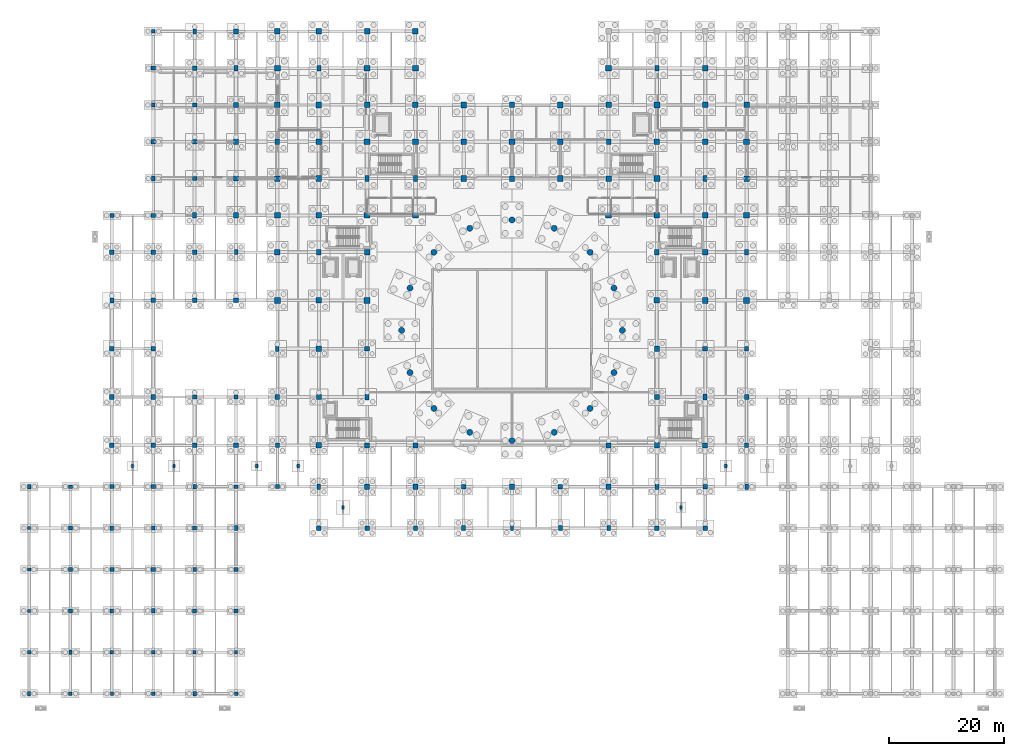
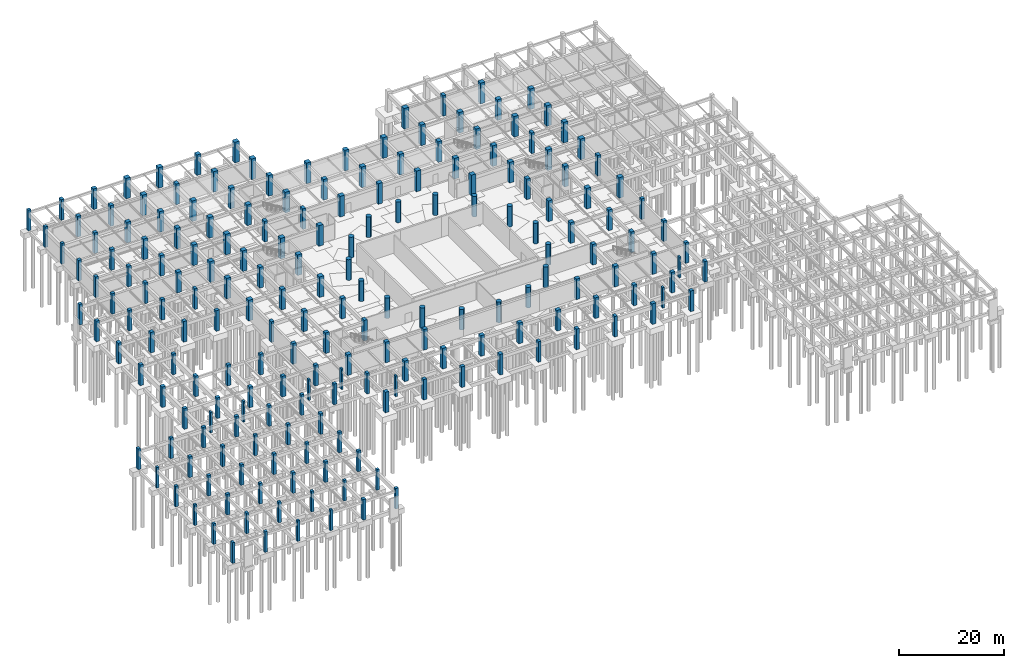
# One storey, part 16 of 44: 200 columns.
"""IFC4 building model written with IfcOpenShell, lengths in metres."""

import ifcopenshell
import ifcopenshell.guid

model = None  # the IFC model being written
_history = None  # IfcOwnerHistory: only IFC2X3 demands one
_inside = {}  # id of a spatial element -> (the spatial element, [elements in it])
_under = {}  # id of a project, library or spatial element -> (it, [spatial elements below it])
_declared = {}  # id of a project -> (the project, [libraries it declares])
_typed = {}  # id of a type object -> (the type object, [elements of that type])
_made_of = {}  # id of a material, layer set ... -> (it, [elements and type objects made of it])


def new_model(schema):
    """Start an empty IFC model of exactly this schema.

    Asked for "IFC4X3", IfcOpenShell would pick the latest addendum, in which some entities
    have other attributes; the version numbers below select the first issue.
    IFC2X3 requires an IfcOwnerHistory on every rooted entity: one is made here for all.
    """
    global model, _history
    if schema == "IFC4X3":
        model = ifcopenshell.file(schema_version=(4, 3, 0, 0))
    else:
        model = ifcopenshell.file(schema=schema)
    _inside.clear()
    _under.clear()
    _declared.clear()
    _typed.clear()
    _made_of.clear()
    _history = None
    if model.schema == "IFC2X3":
        org = make("IfcOrganization", Name="unknown")
        user = make(
            "IfcPersonAndOrganization",
            ThePerson=make("IfcPerson", FamilyName="unknown"),
            TheOrganization=org,
        )
        app = make(
            "IfcApplication",
            ApplicationDeveloper=org,
            Version="unknown",
            ApplicationFullName="unknown",
            ApplicationIdentifier="unknown",
        )
        _history = make(
            "IfcOwnerHistory",
            OwningUser=user,
            OwningApplication=app,
            ChangeAction="ADDED",
            CreationDate=0,
        )
    return model


def make(cls, **values):
    """One entity of the class cls with the attributes given. An attribute that is None is left unset."""
    return model.create_entity(
        cls, **{name: value for name, value in values.items() if value is not None}
    )


def rooted(cls, **values):
    """An entity with a GlobalId (a new one), such as an element, a storey or a relation."""
    return make(cls, GlobalId=ifcopenshell.guid.new(), OwnerHistory=_history, **values)


def si_unit(unit_type, name, prefix=None):
    """IfcSIUnit, for example si_unit("LENGTHUNIT", "METRE", prefix="MILLI")."""
    return make("IfcSIUnit", UnitType=unit_type, Prefix=prefix, Name=name)


def assignment(units):
    """IfcUnitAssignment: the units of a project."""
    return None if units is None else make("IfcUnitAssignment", Units=units)


def point(xyz):
    """IfcCartesianPoint."""
    return None if xyz is None else make("IfcCartesianPoint", Coordinates=xyz)


def direction(xyz):
    """IfcDirection."""
    return None if xyz is None else make("IfcDirection", DirectionRatios=xyz)


def frame(location, z_axis=None, x_axis=None):
    """IfcAxis2Placement3D, a coordinate frame: its origin and axes. An axis left out is left unset."""
    return make(
        "IfcAxis2Placement3D",
        Location=point(location),
        Axis=direction(z_axis),
        RefDirection=direction(x_axis),
    )


def frame_2d(location, x_axis=None):
    """IfcAxis2Placement2D, a coordinate frame in the plane: its origin and x axis."""
    return make(
        "IfcAxis2Placement2D", Location=point(location), RefDirection=direction(x_axis)
    )


def origin():
    """The frame at (0, 0, 0) with its axes left unset."""
    return frame((0.0, 0.0, 0.0))


def origin_2d():
    """The frame at (0, 0) in the plane with its x axis left unset."""
    return frame_2d((0.0, 0.0))


def place(relative_to, where):
    """IfcLocalPlacement: puts the frame where relative to a parent placement (None: the world)."""
    return make(
        "IfcLocalPlacement", PlacementRelTo=relative_to, RelativePlacement=where
    )


def context(
    kind, dimensions, precision=None, world=None, true_north=None, identifier=None
):
    """IfcGeometricRepresentationContext, for example the 3D "Model" context."""
    return make(
        "IfcGeometricRepresentationContext",
        ContextIdentifier=identifier,
        ContextType=kind,
        CoordinateSpaceDimension=dimensions,
        Precision=precision,
        WorldCoordinateSystem=world,
        TrueNorth=true_north,
    )


def subcontext(parent, identifier, kind, view, scale=None):
    """IfcGeometricRepresentationSubContext, for example "Body" below "Model"."""
    return make(
        "IfcGeometricRepresentationSubContext",
        ContextIdentifier=identifier,
        ContextType=kind,
        ParentContext=parent,
        TargetScale=scale,
        TargetView=view,
    )


def project(units=None, contexts=None):
    """IfcProject with its units and contexts."""
    return rooted(
        "IfcProject",
        Name="project",
        RepresentationContexts=contexts,
        UnitsInContext=assignment(units),
    )


def spatial(cls, under=None, at=None, **own):
    """A site, building, storey or space (cls), placed at a placement, below another one or the project."""
    s = rooted(cls, ObjectPlacement=at, **own)
    if under is not None:
        _under.setdefault(under.id(), (under, []))[1].append(s)
    return s


def profile(cls, at=None, kind="AREA", **sizes):
    """A parametric profile (cls). Its sizes go by their IFC names, for example OverallWidth=200.0."""
    return make(cls, ProfileType=kind, Position=at, **sizes)


def rectangle(**sizes):
    """IfcRectangleProfileDef."""
    return profile("IfcRectangleProfileDef", **sizes)


def circle(**sizes):
    """IfcCircleProfileDef."""
    return profile("IfcCircleProfileDef", **sizes)


def extrude(swept, where, along, depth):
    """IfcExtrudedAreaSolid: the profile swept, set in the frame where, extruded along a direction by depth."""
    return make(
        "IfcExtrudedAreaSolid",
        SweptArea=swept,
        Position=where,
        ExtrudedDirection=direction(along),
        Depth=depth,
    )


def shape(context_of_items, identifier, shape_type, items):
    """IfcShapeRepresentation: the items that make up one representation, for example the "Body"."""
    return make(
        "IfcShapeRepresentation",
        ContextOfItems=context_of_items,
        RepresentationIdentifier=identifier,
        RepresentationType=shape_type,
        Items=items,
    )


def material(Name=None, Category=None):
    """IfcMaterial."""
    return make("IfcMaterial", Name=Name, Category=Category)


def material_profile(
    of_material, cross_section, Name=None, Category=None, Priority=None
):
    """IfcMaterialProfile: a cross section and its material."""
    return make(
        "IfcMaterialProfile",
        Name=Name,
        Material=of_material,
        Profile=cross_section,
        Priority=Priority,
        Category=Category,
    )


def profile_set(profiles, Name=None, composite=None):
    """IfcMaterialProfileSet."""
    return make(
        "IfcMaterialProfileSet",
        Name=Name,
        MaterialProfiles=profiles,
        CompositeProfile=composite,
    )


def made_of(thing, what):
    """Note that an element or type object is made of a material, layer set ...; save() writes the relation."""
    if what is not None:
        _made_of.setdefault(what.id(), (what, []))[1].append(thing)
    return thing


def type_object(cls, material=None, **own):
    """A type object (cls), such as IfcWallType, which elements share."""
    return made_of(rooted(cls, **own), material)


def element(
    cls,
    number,
    at=None,
    inside=None,
    cuts=None,
    type_object=None,
    material=None,
    context=None,
    identifier="Body",
    shape_type=None,
    held_by="IfcProductDefinitionShape",
    body=None,
    shapes=None,
    **own,
):
    """One element of the class cls, such as IfcWall. Its Tag is "e" and its number.

    at: its placement. inside: the storey or other place that contains it. cuts: it is an
    opening in that element (IfcRelVoidsElement). A single representation is given by context,
    identifier, shape_type and body (its items); several are given by shapes. held_by: the class
    of the entity that holds the representations. save() writes the other relations.
    """
    e = rooted(cls, Tag="e%d" % number, ObjectPlacement=at, **own)
    if body is not None:
        shapes = [shape(context, identifier, shape_type, body)]
    if shapes is not None:
        e.Representation = make(held_by, Representations=shapes)
    if inside is not None:
        _inside.setdefault(inside.id(), (inside, []))[1].append(e)
    if cuts is not None:
        rooted(
            "IfcRelVoidsElement", RelatingBuildingElement=cuts, RelatedOpeningElement=e
        )
    if type_object is not None:
        _typed.setdefault(type_object.id(), (type_object, []))[1].append(e)
    return made_of(e, material)


def aggregate(whole, parts):
    """IfcRelAggregates: a whole, such as a stair, and the parts it consists of."""
    return rooted("IfcRelAggregates", RelatingObject=whole, RelatedObjects=parts)


def save(model, path):
    """Write the relations noted so far, then the file.

    IfcRelAggregates (storeys below a building ...), IfcRelContainedInSpatialStructure (elements
    in a storey), IfcRelDefinesByType, IfcRelAssociatesMaterial and IfcRelDeclares: one each for
    every whole, place, type object, material and project.
    """
    for whole, parts in _under.values():
        aggregate(whole, parts)
    for where, things in _inside.values():
        rooted(
            "IfcRelContainedInSpatialStructure",
            RelatedElements=things,
            RelatingStructure=where,
        )
    for kind, things in _typed.values():
        rooted("IfcRelDefinesByType", RelatedObjects=things, RelatingType=kind)
    for what, things in _made_of.values():
        rooted("IfcRelAssociatesMaterial", RelatedObjects=things, RelatingMaterial=what)
    for by, libraries in _declared.values():
        rooted("IfcRelDeclares", RelatingContext=by, RelatedDefinitions=libraries)
    model.write(path)


model = new_model("IFC4")

# Units and contexts
model_context = context("Model", 3, precision=1e-05, world=origin(), true_north=direction((0.0, 1.0)))
body_context = subcontext(model_context, "Body", "Model", "MODEL_VIEW")
ifc_project = project(units=[si_unit("LENGTHUNIT", "METRE"), si_unit("AREAUNIT", "SQUARE_METRE"), si_unit("VOLUMEUNIT", "CUBIC_METRE"), si_unit("PLANEANGLEUNIT", "RADIAN"), si_unit("MASSUNIT", "GRAM", prefix="KILO")], contexts=[model_context])

# Site, building, storey
site_placement = place(None, origin())
site = spatial("IfcSite", under=ifc_project, at=site_placement, CompositionType="ELEMENT")
building_placement = place(site_placement, origin())
building = spatial("IfcBuilding", under=site, at=building_placement, Name="Korsvaeld Concert Hall", CompositionType="ELEMENT")
storey_placement = place(building_placement, frame((0.0, 0.0, -4.800048828125)))
storey = spatial("IfcBuildingStorey", under=building, at=storey_placement, Name="B1", CompositionType="ELEMENT", Elevation=-4.800048828125)

# Columns
ifc_material = material(Name="Concrete C40/50", Category="concrete")
ifc_material_profile_1 = material_profile(ifc_material, circle(Radius=0.52490234375, at=origin_2d()), Name="RC D1050")
ifc_profile_set_1 = profile_set([ifc_material_profile_1], Name="Concrete C40/50")
column_type_1 = type_object("IfcColumnType", Name="COL-DRUM-D1050", PredefinedType="COLUMN", material=ifc_profile_set_1)
for number, where, z_axis, x_axis, name in (
    (1, (103.199951171875, 63.199951171875, 0.0), (0.0, 0.0, 1.0), (1.0, 0.0, 0.0), "Drum column D01 B1"),
    (2, (101.738525390625, 70.547607421875, 0.0), (0.0, 0.0, 1.0), (1.0, 0.0, 0.0), "Drum column D02 B1"),
    (3, (97.576416015625, 76.776611328125, 0.0), (0.0, 0.0, 1.0), (1.0, 0.0, 0.0), "Drum column D03 B1"),
    (4, (91.347412109375, 80.9384765625, 0.0), (0.0, 0.0, 1.0), (1.0, 0.0, 0.0), "Drum column D04 B1"),
    (5, (84.0, 82.39990234375, 0.0), (0.0, 0.0, 1.0), (1.0, 0.0, 0.0), "Drum column D05 B1"),
    (6, (76.652587890625, 80.9384765625, 0.0), (0.0, 0.0, 1.0), (1.0, 0.0, 0.0), "Drum column D06 B1"),
    (7, (70.423583984375, 76.776611328125, 0.0), (0.0, 0.0, 1.0), (1.0, 0.0, 0.0), "Drum column D07 B1"),
    (8, (66.261474609375, 70.547607421875, 0.0), (0.0, 0.0, 1.0), (1.0, 0.0, 0.0), "Drum column D08 B1"),
    (9, (64.800048828125, 63.199951171875, 0.0), (0.0, 0.0, 1.0), (1.0, 0.0, 0.0), "Drum column D09 B1"),
    (10, (66.261474609375, 55.8525390625, 0.0), (0.0, 0.0, 1.0), (1.0, 0.0, 0.0), "Drum column D10 B1"),
    (11, (70.423583984375, 49.62353515625, 0.0), (0.0, 0.0, 1.0), (1.0, 0.0, 0.0), "Drum column D11 B1"),
    (12, (76.652587890625, 45.46142578125, 0.0), (0.0, 0.0, 1.0), (1.0, 0.0, 0.0), "Drum column D12 B1"),
    (13, (84.0, 44.0, 0.0), (0.0, 0.0, 1.0), (1.0, 0.0, 0.0), "Drum column D13 B1"),
    (14, (91.347412109375, 45.46142578125, 0.0), (0.0, 0.0, 1.0), (1.0, 0.0, 0.0), "Drum column D14 B1"),
    (15, (97.576416015625, 49.62353515625, 0.0), (0.0, 0.0, 1.0), (1.0, 0.0, 0.0), "Drum column D15 B1"),
    (16, (101.738525390625, 55.8525390625, 0.0), (0.0, 0.0, 1.0), (1.0, 0.0, 0.0), "Drum column D16 B1"),
):
    element("IfcColumn", number, at=place(storey_placement, frame(where, z_axis=z_axis, x_axis=x_axis)), inside=storey, type_object=column_type_1, Name=name, PredefinedType="COLUMN", context=body_context, shape_type="SweptSolid", body=[
        extrude(circle(Radius=0.52490234375, at=origin_2d()), origin(), (0.0, 0.0, 1.0), 4.800048828125),
    ])
ifc_material_profile_2 = material_profile(ifc_material, rectangle(XDim=1.0, YDim=1.0, at=origin_2d()), Name="RC 1000x1000")
ifc_profile_set_2 = profile_set([ifc_material_profile_2], Name="Concrete C40/50")
column_type_2 = type_object("IfcColumnType", Name="COL-RC-1000x1000", PredefinedType="COLUMN", material=ifc_profile_set_2)
for number, where, z_axis, x_axis, name in (
    (17, (67.199951171875, 83.199951171875, 0.0), (0.0, 0.0, 1.0), (1.0, 0.0, 0.0), "Column 10/M B1"),
    (18, (67.199951171875, 96.0, 0.0), (0.0, 0.0, 1.0), (1.0, 0.0, 0.0), "Column 10/P B1"),
    (19, (67.199951171875, 108.800048828125, 0.0), (0.0, 0.0, 1.0), (1.0, 0.0, 0.0), "Column 10/R B1"),
    (20, (75.60009765625, 89.60009765625, 0.0), (0.0, 0.0, 1.0), (1.0, 0.0, 0.0), "Column 11/N B1"),
    (21, (75.60009765625, 102.39990234375, 0.0), (0.0, 0.0, 1.0), (1.0, 0.0, 0.0), "Column 11/Q B1"),
    (22, (84.0, 96.0, 0.0), (0.0, 0.0, 1.0), (1.0, 0.0, 0.0), "Column 12/P B1"),
    (23, (92.39990234375, 89.60009765625, 0.0), (0.0, 0.0, 1.0), (1.0, 0.0, 0.0), "Column 13/N B1"),
    (24, (92.39990234375, 102.39990234375, 0.0), (0.0, 0.0, 1.0), (1.0, 0.0, 0.0), "Column 13/Q B1"),
    (25, (100.800048828125, 83.199951171875, 0.0), (0.0, 0.0, 1.0), (1.0, 0.0, 0.0), "Column 14/M B1"),
    (26, (100.800048828125, 108.800048828125, 0.0), (0.0, 0.0, 1.0), (1.0, 0.0, 0.0), "Column 14/R B1"),
    (27, (109.199951171875, 89.60009765625, 0.0), (0.0, 0.0, 1.0), (1.0, 0.0, 0.0), "Column 15/N B1"),
    (28, (109.199951171875, 102.39990234375, 0.0), (0.0, 0.0, 1.0), (1.0, 0.0, 0.0), "Column 15/Q B1"),
    (29, (117.60009765625, 68.39990234375, 0.0), (0.0, 0.0, 1.0), (1.0, 0.0, 0.0), "Column 16/K B1"),
    (30, (117.60009765625, 83.199951171875, 0.0), (0.0, 0.0, 1.0), (1.0, 0.0, 0.0), "Column 16/M B1"),
    (31, (117.60009765625, 96.0, 0.0), (0.0, 0.0, 1.0), (1.0, 0.0, 0.0), "Column 16/P B1"),
    (32, (117.60009765625, 108.800048828125, 0.0), (0.0, 0.0, 1.0), (1.0, 0.0, 0.0), "Column 16/R B1"),
    (33, (124.800048828125, 68.39990234375, 0.0), (0.0, 0.0, 1.0), (1.0, 0.0, 0.0), "Column 17/K B1"),
    (34, (124.800048828125, 83.199951171875, 0.0), (0.0, 0.0, 1.0), (1.0, 0.0, 0.0), "Column 17/M B1"),
    (35, (124.800048828125, 96.0, 0.0), (0.0, 0.0, 1.0), (1.0, 0.0, 0.0), "Column 17/P B1"),
    (36, (43.199951171875, 68.39990234375, 0.0), (0.0, 0.0, 1.0), (1.0, 0.0, 0.0), "Column 7/K B1"),
    (37, (43.199951171875, 83.199951171875, 0.0), (0.0, 0.0, 1.0), (1.0, 0.0, 0.0), "Column 7/M B1"),
    (38, (43.199951171875, 108.800048828125, 0.0), (0.0, 0.0, 1.0), (1.0, 0.0, 0.0), "Column 7/R B1"),
    (39, (50.39990234375, 89.60009765625, 0.0), (0.0, 0.0, 1.0), (1.0, 0.0, 0.0), "Column 8/N B1"),
    (40, (50.39990234375, 102.39990234375, 0.0), (0.0, 0.0, 1.0), (1.0, 0.0, 0.0), "Column 8/Q B1"),
    (41, (50.39990234375, 115.199951171875, 0.0), (0.0, 0.0, 1.0), (1.0, 0.0, 0.0), "Column 8/S B1"),
    (42, (58.800048828125, 68.39990234375, 0.0), (0.0, 0.0, 1.0), (1.0, 0.0, 0.0), "Column 9/K B1"),
    (43, (58.800048828125, 83.199951171875, 0.0), (0.0, 0.0, 1.0), (1.0, 0.0, 0.0), "Column 9/M B1"),
    (44, (58.800048828125, 96.0, 0.0), (0.0, 0.0, 1.0), (1.0, 0.0, 0.0), "Column 9/P B1"),
    (45, (58.800048828125, 108.800048828125, 0.0), (0.0, 0.0, 1.0), (1.0, 0.0, 0.0), "Column 9/R B1"),
):
    element("IfcColumn", number, at=place(storey_placement, frame(where, z_axis=z_axis, x_axis=x_axis)), inside=storey, type_object=column_type_2, Name=name, PredefinedType="COLUMN", context=body_context, shape_type="SweptSolid", body=[
        extrude(rectangle(XDim=1.0, YDim=1.0, at=origin_2d()), origin(), (0.0, 0.0, 1.0), 4.800048828125),
    ])
ifc_material_profile_3 = material_profile(ifc_material, rectangle(XDim=0.550048828125, YDim=0.550048828125, at=origin_2d()), Name="RC 550x550")
ifc_profile_set_3 = profile_set([ifc_material_profile_3], Name="Concrete C40/50")
column_type_3 = type_object("IfcColumnType", Name="COL-RC-550x550", PredefinedType="COLUMN", material=ifc_profile_set_3)
for number, where, z_axis, x_axis, name in (
    (46, (0.0, 14.39990234375, 0.0), (0.0, 0.0, 1.0), (1.0, 0.0, 0.0), "Column 1/C B1"),
    (47, (0.0, 28.800048828125, 0.0), (0.0, 0.0, 1.0), (1.0, 0.0, 0.0), "Column 1/E B1"),
    (48, (14.39990234375, 0.0, 0.0), (0.0, 0.0, 1.0), (1.0, 0.0, 0.0), "Column 3/A B1"),
    (49, (21.60009765625, 0.0, 0.0), (0.0, 0.0, 1.0), (1.0, 0.0, 0.0), "Column 4/A B1"),
    (50, (28.800048828125, 7.199951171875, 0.0), (0.0, 0.0, 1.0), (1.0, 0.0, 0.0), "Column 5/B B1"),
    (51, (36.0, 7.199951171875, 0.0), (0.0, 0.0, 1.0), (1.0, 0.0, 0.0), "Column 6/B B1"),
):
    element("IfcColumn", number, at=place(storey_placement, frame(where, z_axis=z_axis, x_axis=x_axis)), inside=storey, type_object=column_type_3, Name=name, PredefinedType="COLUMN", context=body_context, shape_type="SweptSolid", body=[
        extrude(rectangle(XDim=0.550048828125, YDim=0.550048828125, at=origin_2d()), origin(), (0.0, 0.0, 1.0), 4.800048828125),
    ])
ifc_material_profile_4 = material_profile(ifc_material, rectangle(XDim=0.550048828125, YDim=0.75, at=origin_2d()), Name="RC 550x750")
ifc_profile_set_4 = profile_set([ifc_material_profile_4], Name="Concrete C40/50")
column_type_4 = type_object("IfcColumnType", Name="COL-RC-550x750", PredefinedType="COLUMN", material=ifc_profile_set_4)
for number, where, z_axis, x_axis, name in (
    (52, (0.0, 0.0, 0.0), (0.0, 0.0, 1.0), (1.0, 0.0, 0.0), "Column 1/A B1"),
    (53, (7.199951171875, 7.199951171875, 0.0), (0.0, 0.0, 1.0), (1.0, 0.0, 0.0), "Column 2/B B1"),
):
    element("IfcColumn", number, at=place(storey_placement, frame(where, z_axis=z_axis, x_axis=x_axis)), inside=storey, type_object=column_type_4, Name=name, PredefinedType="COLUMN", context=body_context, shape_type="SweptSolid", body=[
        extrude(rectangle(XDim=0.550048828125, YDim=0.75, at=origin_2d()), origin(), (0.0, 0.0, 1.0), 4.800048828125),
    ])
ifc_material_profile_5 = material_profile(ifc_material, rectangle(XDim=0.60009765625, YDim=0.60009765625, at=origin_2d()), Name="RC 600x600")
ifc_profile_set_5 = profile_set([ifc_material_profile_5], Name="Concrete C40/50")
column_type_5 = type_object("IfcColumnType", Name="COL-RC-600x600", PredefinedType="COLUMN", material=ifc_profile_set_5)
for number, where, z_axis, x_axis, name in (
    (54, (0.0, 7.199951171875, 0.0), (0.0, 0.0, 1.0), (1.0, 0.0, 0.0), "Column 1/B B1"),
    (55, (0.0, 21.60009765625, 0.0), (0.0, 0.0, 1.0), (1.0, 0.0, 0.0), "Column 1/D B1"),
    (56, (7.199951171875, 0.0, 0.0), (0.0, 0.0, 1.0), (1.0, 0.0, 0.0), "Column 2/A B1"),
    (57, (14.39990234375, 7.199951171875, 0.0), (0.0, 0.0, 1.0), (1.0, 0.0, 0.0), "Column 3/B B1"),
    (58, (21.60009765625, 7.199951171875, 0.0), (0.0, 0.0, 1.0), (1.0, 0.0, 0.0), "Column 4/B B1"),
    (59, (36.0, 0.0, 0.0), (0.0, 0.0, 1.0), (1.0, 0.0, 0.0), "Column 6/A B1"),
):
    element("IfcColumn", number, at=place(storey_placement, frame(where, z_axis=z_axis, x_axis=x_axis)), inside=storey, type_object=column_type_5, Name=name, PredefinedType="COLUMN", context=body_context, shape_type="SweptSolid", body=[
        extrude(rectangle(XDim=0.60009765625, YDim=0.60009765625, at=origin_2d()), origin(), (0.0, 0.0, 1.0), 4.800048828125),
    ])
ifc_material_profile_6 = material_profile(ifc_material, rectangle(XDim=0.60009765625, YDim=0.800048828125, at=origin_2d()), Name="RC 600x800")
ifc_profile_set_6 = profile_set([ifc_material_profile_6], Name="Concrete C40/50")
column_type_6 = type_object("IfcColumnType", Name="COL-RC-600x800", PredefinedType="COLUMN", material=ifc_profile_set_6)
for number, where, z_axis, x_axis, name in (
    (60, (0.0, 36.0, 0.0), (0.0, 0.0, 1.0), (1.0, 0.0, 0.0), "Column 1/F B1"),
    (61, (14.39990234375, 28.800048828125, 0.0), (0.0, 0.0, 1.0), (1.0, 0.0, 0.0), "Column 3/E B1"),
    (62, (21.60009765625, 14.39990234375, 0.0), (0.0, 0.0, 1.0), (1.0, 0.0, 0.0), "Column 4/C B1"),
    (63, (21.60009765625, 89.60009765625, 0.0), (0.0, 0.0, 1.0), (1.0, 0.0, 0.0), "Column 4/N B1"),
    (64, (28.800048828125, 0.0, 0.0), (0.0, 0.0, 1.0), (1.0, 0.0, 0.0), "Column 5/A B1"),
    (65, (28.800048828125, 36.0, 0.0), (0.0, 0.0, 1.0), (1.0, 0.0, 0.0), "Column 5/F B1"),
):
    element("IfcColumn", number, at=place(storey_placement, frame(where, z_axis=z_axis, x_axis=x_axis)), inside=storey, type_object=column_type_6, Name=name, PredefinedType="COLUMN", context=body_context, shape_type="SweptSolid", body=[
        extrude(rectangle(XDim=0.60009765625, YDim=0.800048828125, at=origin_2d()), origin(), (0.0, 0.0, 1.0), 4.800048828125),
    ])
ifc_material_profile_7 = material_profile(ifc_material, rectangle(XDim=0.60009765625, YDim=0.89990234375, at=origin_2d()), Name="RC 600x900")
ifc_profile_set_7 = profile_set([ifc_material_profile_7], Name="Concrete C40/50")
column_type_7 = type_object("IfcColumnType", Name="COL-RC-600x900", PredefinedType="COLUMN", material=ifc_profile_set_7)
for number, where, z_axis, x_axis, name in (
    (66, (84.0, 28.800048828125, 0.0), (0.0, 0.0, 1.0), (1.0, 0.0, 0.0), "Column 12/E B1"),
    (67, (100.800048828125, 28.800048828125, 0.0), (0.0, 0.0, 1.0), (1.0, 0.0, 0.0), "Column 14/E B1"),
    (68, (124.800048828125, 36.0, 0.0), (0.0, 0.0, 1.0), (1.0, 0.0, 0.0), "Column 17/F B1"),
    (69, (28.800048828125, 115.199951171875, 0.0), (0.0, 0.0, 1.0), (1.0, 0.0, 0.0), "Column 5/S B1"),
    (70, (36.0, 28.800048828125, 0.0), (0.0, 0.0, 1.0), (1.0, 0.0, 0.0), "Column 6/E B1"),
    (71, (36.0, 76.800048828125, 0.0), (0.0, 0.0, 1.0), (1.0, 0.0, 0.0), "Column 6/L B1"),
    (72, (43.199951171875, 60.0, 0.0), (0.0, 0.0, 1.0), (1.0, 0.0, 0.0), "Column 7/J B1"),
    (73, (50.39990234375, 36.0, 0.0), (0.0, 0.0, 1.0), (1.0, 0.0, 0.0), "Column 8/F B1"),
):
    element("IfcColumn", number, at=place(storey_placement, frame(where, z_axis=z_axis, x_axis=x_axis)), inside=storey, type_object=column_type_7, Name=name, PredefinedType="COLUMN", context=body_context, shape_type="SweptSolid", body=[
        extrude(rectangle(XDim=0.60009765625, YDim=0.89990234375, at=origin_2d()), origin(), (0.0, 0.0, 1.0), 4.800048828125),
    ])
ifc_material_profile_8 = material_profile(ifc_material, rectangle(XDim=0.64990234375, YDim=0.64990234375, at=origin_2d()), Name="RC 650x650")
ifc_profile_set_8 = profile_set([ifc_material_profile_8], Name="Concrete C40/50")
column_type_8 = type_object("IfcColumnType", Name="COL-RC-650x650", PredefinedType="COLUMN", material=ifc_profile_set_8)
for number, where, z_axis, x_axis, name in (
    (74, (7.199951171875, 21.60009765625, 0.0), (0.0, 0.0, 1.0), (1.0, 0.0, 0.0), "Column 2/D B1"),
    (75, (7.199951171875, 36.0, 0.0), (0.0, 0.0, 1.0), (1.0, 0.0, 0.0), "Column 2/F B1"),
    (76, (14.39990234375, 14.39990234375, 0.0), (0.0, 0.0, 1.0), (1.0, 0.0, 0.0), "Column 3/C B1"),
    (77, (21.60009765625, 28.800048828125, 0.0), (0.0, 0.0, 1.0), (1.0, 0.0, 0.0), "Column 4/E B1"),
    (78, (21.60009765625, 102.39990234375, 0.0), (0.0, 0.0, 1.0), (1.0, 0.0, 0.0), "Column 4/Q B1"),
    (79, (21.60009765625, 115.199951171875, 0.0), (0.0, 0.0, 1.0), (1.0, 0.0, 0.0), "Column 4/S B1"),
    (80, (28.800048828125, 21.60009765625, 0.0), (0.0, 0.0, 1.0), (1.0, 0.0, 0.0), "Column 5/D B1"),
    (81, (36.0, 21.60009765625, 0.0), (0.0, 0.0, 1.0), (1.0, 0.0, 0.0), "Column 6/D B1"),
    (82, (36.0, 36.0, 0.0), (0.0, 0.0, 1.0), (1.0, 0.0, 0.0), "Column 6/F B1"),
):
    element("IfcColumn", number, at=place(storey_placement, frame(where, z_axis=z_axis, x_axis=x_axis)), inside=storey, type_object=column_type_8, Name=name, PredefinedType="COLUMN", context=body_context, shape_type="SweptSolid", body=[
        extrude(rectangle(XDim=0.64990234375, YDim=0.64990234375, at=origin_2d()), origin(), (0.0, 0.0, 1.0), 4.800048828125),
    ])
ifc_material_profile_9 = material_profile(ifc_material, rectangle(XDim=0.699951171875, YDim=1.0, at=origin_2d()), Name="RC 700x1000")
ifc_profile_set_9 = profile_set([ifc_material_profile_9], Name="Concrete C40/50")
column_type_9 = type_object("IfcColumnType", Name="COL-RC-700x1000", PredefinedType="COLUMN", material=ifc_profile_set_9)
for number, where, z_axis, x_axis, name in (
    (83, (67.199951171875, 89.60009765625, 0.0), (0.0, 0.0, 1.0), (1.0, 0.0, 0.0), "Column 10/N B1"),
    (84, (109.199951171875, 108.800048828125, 0.0), (0.0, 0.0, 1.0), (1.0, 0.0, 0.0), "Column 15/R B1"),
    (85, (117.60009765625, 51.60009765625, 0.0), (0.0, 0.0, 1.0), (1.0, 0.0, 0.0), "Column 16/H B1"),
    (86, (117.60009765625, 89.60009765625, 0.0), (0.0, 0.0, 1.0), (1.0, 0.0, 0.0), "Column 16/N B1"),
    (87, (124.800048828125, 76.800048828125, 0.0), (0.0, 0.0, 1.0), (1.0, 0.0, 0.0), "Column 17/L B1"),
    (88, (36.0, 108.800048828125, 0.0), (0.0, 0.0, 1.0), (1.0, 0.0, 0.0), "Column 6/R B1"),
    (89, (50.39990234375, 108.800048828125, 0.0), (0.0, 0.0, 1.0), (1.0, 0.0, 0.0), "Column 8/R B1"),
    (90, (58.800048828125, 51.60009765625, 0.0), (0.0, 0.0, 1.0), (1.0, 0.0, 0.0), "Column 9/H B1"),
    (91, (58.800048828125, 89.60009765625, 0.0), (0.0, 0.0, 1.0), (1.0, 0.0, 0.0), "Column 9/N B1"),
):
    element("IfcColumn", number, at=place(storey_placement, frame(where, z_axis=z_axis, x_axis=x_axis)), inside=storey, type_object=column_type_9, Name=name, PredefinedType="COLUMN", context=body_context, shape_type="SweptSolid", body=[
        extrude(rectangle(XDim=0.699951171875, YDim=1.0, at=origin_2d()), origin(), (0.0, 0.0, 1.0), 4.800048828125),
    ])
ifc_material_profile_10 = material_profile(ifc_material, rectangle(XDim=0.699951171875, YDim=0.699951171875, at=origin_2d()), Name="RC 700x700")
ifc_profile_set_10 = profile_set([ifc_material_profile_10], Name="Concrete C40/50")
column_type_10 = type_object("IfcColumnType", Name="COL-RC-700x700", PredefinedType="COLUMN", material=ifc_profile_set_10)
for number, where, z_axis, x_axis, name in (
    (92, (7.199951171875, 14.39990234375, 0.0), (0.0, 0.0, 1.0), (1.0, 0.0, 0.0), "Column 2/C B1"),
    (93, (7.199951171875, 28.800048828125, 0.0), (0.0, 0.0, 1.0), (1.0, 0.0, 0.0), "Column 2/E B1"),
    (94, (14.39990234375, 21.60009765625, 0.0), (0.0, 0.0, 1.0), (1.0, 0.0, 0.0), "Column 3/D B1"),
    (95, (14.39990234375, 36.0, 0.0), (0.0, 0.0, 1.0), (1.0, 0.0, 0.0), "Column 3/F B1"),
    (96, (14.39990234375, 83.199951171875, 0.0), (0.0, 0.0, 1.0), (1.0, 0.0, 0.0), "Column 3/M B1"),
    (97, (21.60009765625, 21.60009765625, 0.0), (0.0, 0.0, 1.0), (1.0, 0.0, 0.0), "Column 4/D B1"),
    (98, (21.60009765625, 36.0, 0.0), (0.0, 0.0, 1.0), (1.0, 0.0, 0.0), "Column 4/F B1"),
    (99, (21.60009765625, 83.199951171875, 0.0), (0.0, 0.0, 1.0), (1.0, 0.0, 0.0), "Column 4/M B1"),
    (100, (21.60009765625, 96.0, 0.0), (0.0, 0.0, 1.0), (1.0, 0.0, 0.0), "Column 4/P B1"),
    (101, (21.60009765625, 108.800048828125, 0.0), (0.0, 0.0, 1.0), (1.0, 0.0, 0.0), "Column 4/R B1"),
    (102, (28.800048828125, 14.39990234375, 0.0), (0.0, 0.0, 1.0), (1.0, 0.0, 0.0), "Column 5/C B1"),
    (103, (28.800048828125, 28.800048828125, 0.0), (0.0, 0.0, 1.0), (1.0, 0.0, 0.0), "Column 5/E B1"),
    (104, (36.0, 14.39990234375, 0.0), (0.0, 0.0, 1.0), (1.0, 0.0, 0.0), "Column 6/C B1"),
    (105, (43.199951171875, 36.0, 0.0), (0.0, 0.0, 1.0), (1.0, 0.0, 0.0), "Column 7/F B1"),
):
    element("IfcColumn", number, at=place(storey_placement, frame(where, z_axis=z_axis, x_axis=x_axis)), inside=storey, type_object=column_type_10, Name=name, PredefinedType="COLUMN", context=body_context, shape_type="SweptSolid", body=[
        extrude(rectangle(XDim=0.699951171875, YDim=0.699951171875, at=origin_2d()), origin(), (0.0, 0.0, 1.0), 4.800048828125),
    ])
ifc_material_profile_11 = material_profile(ifc_material, rectangle(XDim=0.699951171875, YDim=0.89990234375, at=origin_2d()), Name="RC 700x900")
ifc_profile_set_11 = profile_set([ifc_material_profile_11], Name="Concrete C40/50")
column_type_11 = type_object("IfcColumnType", Name="COL-RC-700x900", PredefinedType="COLUMN", material=ifc_profile_set_11)
for number, where, z_axis, x_axis, name in (
    (106, (75.60009765625, 28.800048828125, 0.0), (0.0, 0.0, 1.0), (1.0, 0.0, 0.0), "Column 11/E B1"),
    (107, (92.39990234375, 28.800048828125, 0.0), (0.0, 0.0, 1.0), (1.0, 0.0, 0.0), "Column 13/E B1"),
    (108, (109.199951171875, 36.0, 0.0), (0.0, 0.0, 1.0), (1.0, 0.0, 0.0), "Column 15/F B1"),
    (109, (14.39990234375, 68.39990234375, 0.0), (0.0, 0.0, 1.0), (1.0, 0.0, 0.0), "Column 3/K B1"),
    (110, (21.60009765625, 51.60009765625, 0.0), (0.0, 0.0, 1.0), (1.0, 0.0, 0.0), "Column 4/H B1"),
    (111, (28.800048828125, 83.199951171875, 0.0), (0.0, 0.0, 1.0), (1.0, 0.0, 0.0), "Column 5/M B1"),
):
    element("IfcColumn", number, at=place(storey_placement, frame(where, z_axis=z_axis, x_axis=x_axis)), inside=storey, type_object=column_type_11, Name=name, PredefinedType="COLUMN", context=body_context, shape_type="SweptSolid", body=[
        extrude(rectangle(XDim=0.699951171875, YDim=0.89990234375, at=origin_2d()), origin(), (0.0, 0.0, 1.0), 4.800048828125),
    ])
ifc_material_profile_12 = material_profile(ifc_material, rectangle(XDim=0.75, YDim=0.75, at=origin_2d()), Name="RC 750x750")
ifc_profile_set_12 = profile_set([ifc_material_profile_12], Name="Concrete C40/50")
column_type_12 = type_object("IfcColumnType", Name="COL-RC-750x750", PredefinedType="COLUMN", material=ifc_profile_set_12)
for number, where, z_axis, x_axis, name in (
    (112, (67.199951171875, 28.800048828125, 0.0), (0.0, 0.0, 1.0), (1.0, 0.0, 0.0), "Column 10/E B1"),
    (113, (117.60009765625, 28.800048828125, 0.0), (0.0, 0.0, 1.0), (1.0, 0.0, 0.0), "Column 16/E B1"),
    (114, (124.800048828125, 43.199951171875, 0.0), (0.0, 0.0, 1.0), (1.0, 0.0, 0.0), "Column 17/G B1"),
    (115, (124.800048828125, 60.0, 0.0), (0.0, 0.0, 1.0), (1.0, 0.0, 0.0), "Column 17/J B1"),
    (116, (14.39990234375, 43.199951171875, 0.0), (0.0, 0.0, 1.0), (1.0, 0.0, 0.0), "Column 3/G B1"),
    (117, (14.39990234375, 60.0, 0.0), (0.0, 0.0, 1.0), (1.0, 0.0, 0.0), "Column 3/J B1"),
    (118, (14.39990234375, 76.800048828125, 0.0), (0.0, 0.0, 1.0), (1.0, 0.0, 0.0), "Column 3/L B1"),
    (119, (21.60009765625, 43.199951171875, 0.0), (0.0, 0.0, 1.0), (1.0, 0.0, 0.0), "Column 4/G B1"),
    (120, (21.60009765625, 60.0, 0.0), (0.0, 0.0, 1.0), (1.0, 0.0, 0.0), "Column 4/J B1"),
    (121, (21.60009765625, 76.800048828125, 0.0), (0.0, 0.0, 1.0), (1.0, 0.0, 0.0), "Column 4/L B1"),
    (122, (28.800048828125, 51.60009765625, 0.0), (0.0, 0.0, 1.0), (1.0, 0.0, 0.0), "Column 5/H B1"),
    (123, (28.800048828125, 76.800048828125, 0.0), (0.0, 0.0, 1.0), (1.0, 0.0, 0.0), "Column 5/L B1"),
    (124, (28.800048828125, 89.60009765625, 0.0), (0.0, 0.0, 1.0), (1.0, 0.0, 0.0), "Column 5/N B1"),
    (125, (28.800048828125, 102.39990234375, 0.0), (0.0, 0.0, 1.0), (1.0, 0.0, 0.0), "Column 5/Q B1"),
    (126, (36.0, 51.60009765625, 0.0), (0.0, 0.0, 1.0), (1.0, 0.0, 0.0), "Column 6/H B1"),
    (127, (43.199951171875, 43.199951171875, 0.0), (0.0, 0.0, 1.0), (1.0, 0.0, 0.0), "Column 7/G B1"),
    (128, (58.800048828125, 28.800048828125, 0.0), (0.0, 0.0, 1.0), (1.0, 0.0, 0.0), "Column 9/E B1"),
):
    element("IfcColumn", number, at=place(storey_placement, frame(where, z_axis=z_axis, x_axis=x_axis)), inside=storey, type_object=column_type_12, Name=name, PredefinedType="COLUMN", context=body_context, shape_type="SweptSolid", body=[
        extrude(rectangle(XDim=0.75, YDim=0.75, at=origin_2d()), origin(), (0.0, 0.0, 1.0), 4.800048828125),
    ])
ifc_material_profile_13 = material_profile(ifc_material, rectangle(XDim=0.800048828125, YDim=1.0, at=origin_2d()), Name="RC 800x1000")
ifc_profile_set_13 = profile_set([ifc_material_profile_13], Name="Concrete C40/50")
column_type_13 = type_object("IfcColumnType", Name="COL-RC-800x1000", PredefinedType="COLUMN", material=ifc_profile_set_13)
for number, where, z_axis, x_axis, name in (
    (129, (100.800048828125, 96.0, 0.0), (0.0, 0.0, 1.0), (1.0, 0.0, 0.0), "Column 14/P B1"),
    (130, (109.199951171875, 76.800048828125, 0.0), (0.0, 0.0, 1.0), (1.0, 0.0, 0.0), "Column 15/L B1"),
    (131, (43.199951171875, 96.0, 0.0), (0.0, 0.0, 1.0), (1.0, 0.0, 0.0), "Column 7/P B1"),
    (132, (50.39990234375, 76.800048828125, 0.0), (0.0, 0.0, 1.0), (1.0, 0.0, 0.0), "Column 8/L B1"),
):
    element("IfcColumn", number, at=place(storey_placement, frame(where, z_axis=z_axis, x_axis=x_axis)), inside=storey, type_object=column_type_13, Name=name, PredefinedType="COLUMN", context=body_context, shape_type="SweptSolid", body=[
        extrude(rectangle(XDim=0.800048828125, YDim=1.0, at=origin_2d()), origin(), (0.0, 0.0, 1.0), 4.800048828125),
    ])
ifc_material_profile_14 = material_profile(ifc_material, rectangle(XDim=0.800048828125, YDim=0.800048828125, at=origin_2d()), Name="RC 800x800")
ifc_profile_set_14 = profile_set([ifc_material_profile_14], Name="Concrete C40/50")
column_type_14 = type_object("IfcColumnType", Name="COL-RC-800x800", PredefinedType="COLUMN", material=ifc_profile_set_14)
for number, where, z_axis, x_axis, name in (
    (133, (109.199951171875, 28.800048828125, 0.0), (0.0, 0.0, 1.0), (1.0, 0.0, 0.0), "Column 15/E B1"),
    (134, (117.60009765625, 36.0, 0.0), (0.0, 0.0, 1.0), (1.0, 0.0, 0.0), "Column 16/F B1"),
    (135, (124.800048828125, 51.60009765625, 0.0), (0.0, 0.0, 1.0), (1.0, 0.0, 0.0), "Column 17/H B1"),
    (136, (14.39990234375, 51.60009765625, 0.0), (0.0, 0.0, 1.0), (1.0, 0.0, 0.0), "Column 3/H B1"),
    (137, (21.60009765625, 68.39990234375, 0.0), (0.0, 0.0, 1.0), (1.0, 0.0, 0.0), "Column 4/K B1"),
    (138, (28.800048828125, 43.199951171875, 0.0), (0.0, 0.0, 1.0), (1.0, 0.0, 0.0), "Column 5/G B1"),
    (139, (28.800048828125, 68.39990234375, 0.0), (0.0, 0.0, 1.0), (1.0, 0.0, 0.0), "Column 5/K B1"),
    (140, (28.800048828125, 96.0, 0.0), (0.0, 0.0, 1.0), (1.0, 0.0, 0.0), "Column 5/P B1"),
    (141, (28.800048828125, 108.800048828125, 0.0), (0.0, 0.0, 1.0), (1.0, 0.0, 0.0), "Column 5/R B1"),
    (142, (36.0, 43.199951171875, 0.0), (0.0, 0.0, 1.0), (1.0, 0.0, 0.0), "Column 6/G B1"),
    (143, (36.0, 68.39990234375, 0.0), (0.0, 0.0, 1.0), (1.0, 0.0, 0.0), "Column 6/K B1"),
    (144, (43.199951171875, 51.60009765625, 0.0), (0.0, 0.0, 1.0), (1.0, 0.0, 0.0), "Column 7/H B1"),
    (145, (50.39990234375, 28.800048828125, 0.0), (0.0, 0.0, 1.0), (1.0, 0.0, 0.0), "Column 8/E B1"),
):
    element("IfcColumn", number, at=place(storey_placement, frame(where, z_axis=z_axis, x_axis=x_axis)), inside=storey, type_object=column_type_14, Name=name, PredefinedType="COLUMN", context=body_context, shape_type="SweptSolid", body=[
        extrude(rectangle(XDim=0.800048828125, YDim=0.800048828125, at=origin_2d()), origin(), (0.0, 0.0, 1.0), 4.800048828125),
    ])
ifc_material_profile_15 = material_profile(ifc_material, rectangle(XDim=0.85009765625, YDim=0.85009765625, at=origin_2d()), Name="RC 850x850")
ifc_profile_set_15 = profile_set([ifc_material_profile_15], Name="Concrete C40/50")
column_type_15 = type_object("IfcColumnType", Name="COL-RC-850x850", PredefinedType="COLUMN", material=ifc_profile_set_15)
for number, where, z_axis, x_axis, name in (
    (146, (67.199951171875, 43.199951171875, 0.0), (0.0, 0.0, 1.0), (1.0, 0.0, 0.0), "Column 10/G B1"),
    (147, (75.60009765625, 36.0, 0.0), (0.0, 0.0, 1.0), (1.0, 0.0, 0.0), "Column 11/F B1"),
    (148, (92.39990234375, 36.0, 0.0), (0.0, 0.0, 1.0), (1.0, 0.0, 0.0), "Column 13/F B1"),
    (149, (100.800048828125, 43.199951171875, 0.0), (0.0, 0.0, 1.0), (1.0, 0.0, 0.0), "Column 14/G B1"),
    (150, (109.199951171875, 51.60009765625, 0.0), (0.0, 0.0, 1.0), (1.0, 0.0, 0.0), "Column 15/H B1"),
    (151, (117.60009765625, 43.199951171875, 0.0), (0.0, 0.0, 1.0), (1.0, 0.0, 0.0), "Column 16/G B1"),
    (152, (117.60009765625, 60.0, 0.0), (0.0, 0.0, 1.0), (1.0, 0.0, 0.0), "Column 16/J B1"),
    (153, (36.0, 89.60009765625, 0.0), (0.0, 0.0, 1.0), (1.0, 0.0, 0.0), "Column 6/N B1"),
    (154, (36.0, 102.39990234375, 0.0), (0.0, 0.0, 1.0), (1.0, 0.0, 0.0), "Column 6/Q B1"),
    (155, (36.0, 115.199951171875, 0.0), (0.0, 0.0, 1.0), (1.0, 0.0, 0.0), "Column 6/S B1"),
    (156, (50.39990234375, 51.60009765625, 0.0), (0.0, 0.0, 1.0), (1.0, 0.0, 0.0), "Column 8/H B1"),
    (157, (58.800048828125, 43.199951171875, 0.0), (0.0, 0.0, 1.0), (1.0, 0.0, 0.0), "Column 9/G B1"),
    (158, (58.800048828125, 60.0, 0.0), (0.0, 0.0, 1.0), (1.0, 0.0, 0.0), "Column 9/J B1"),
):
    element("IfcColumn", number, at=place(storey_placement, frame(where, z_axis=z_axis, x_axis=x_axis)), inside=storey, type_object=column_type_15, Name=name, PredefinedType="COLUMN", context=body_context, shape_type="SweptSolid", body=[
        extrude(rectangle(XDim=0.85009765625, YDim=0.85009765625, at=origin_2d()), origin(), (0.0, 0.0, 1.0), 4.800048828125),
    ])
ifc_material_profile_16 = material_profile(ifc_material, rectangle(XDim=0.89990234375, YDim=0.89990234375, at=origin_2d()), Name="RC 900x900")
ifc_profile_set_16 = profile_set([ifc_material_profile_16], Name="Concrete C40/50")
column_type_16 = type_object("IfcColumnType", Name="COL-RC-900x900", PredefinedType="COLUMN", material=ifc_profile_set_16)
for number, where, z_axis, x_axis, name in (
    (159, (67.199951171875, 36.0, 0.0), (0.0, 0.0, 1.0), (1.0, 0.0, 0.0), "Column 10/F B1"),
    (160, (84.0, 36.0, 0.0), (0.0, 0.0, 1.0), (1.0, 0.0, 0.0), "Column 12/F B1"),
    (161, (100.800048828125, 36.0, 0.0), (0.0, 0.0, 1.0), (1.0, 0.0, 0.0), "Column 14/F B1"),
    (162, (109.199951171875, 43.199951171875, 0.0), (0.0, 0.0, 1.0), (1.0, 0.0, 0.0), "Column 15/G B1"),
    (163, (109.199951171875, 60.0, 0.0), (0.0, 0.0, 1.0), (1.0, 0.0, 0.0), "Column 15/J B1"),
    (164, (36.0, 83.199951171875, 0.0), (0.0, 0.0, 1.0), (1.0, 0.0, 0.0), "Column 6/M B1"),
    (165, (36.0, 96.0, 0.0), (0.0, 0.0, 1.0), (1.0, 0.0, 0.0), "Column 6/P B1"),
    (166, (50.39990234375, 43.199951171875, 0.0), (0.0, 0.0, 1.0), (1.0, 0.0, 0.0), "Column 8/G B1"),
    (167, (50.39990234375, 60.0, 0.0), (0.0, 0.0, 1.0), (1.0, 0.0, 0.0), "Column 8/J B1"),
    (168, (58.800048828125, 36.0, 0.0), (0.0, 0.0, 1.0), (1.0, 0.0, 0.0), "Column 9/F B1"),
):
    element("IfcColumn", number, at=place(storey_placement, frame(where, z_axis=z_axis, x_axis=x_axis)), inside=storey, type_object=column_type_16, Name=name, PredefinedType="COLUMN", context=body_context, shape_type="SweptSolid", body=[
        extrude(rectangle(XDim=0.89990234375, YDim=0.89990234375, at=origin_2d()), origin(), (0.0, 0.0, 1.0), 4.800048828125),
    ])
ifc_material_profile_17 = material_profile(ifc_material, rectangle(XDim=0.949951171875, YDim=0.949951171875, at=origin_2d()), Name="RC 950x950")
ifc_profile_set_17 = profile_set([ifc_material_profile_17], Name="Concrete C40/50")
column_type_17 = type_object("IfcColumnType", Name="COL-RC-950x950", PredefinedType="COLUMN", material=ifc_profile_set_17)
for number, where, z_axis, x_axis, name in (
    (169, (67.199951171875, 102.39990234375, 0.0), (0.0, 0.0, 1.0), (1.0, 0.0, 0.0), "Column 10/Q B1"),
    (170, (67.199951171875, 115.199951171875, 0.0), (0.0, 0.0, 1.0), (1.0, 0.0, 0.0), "Column 10/S B1"),
    (171, (75.60009765625, 96.0, 0.0), (0.0, 0.0, 1.0), (1.0, 0.0, 0.0), "Column 11/P B1"),
    (172, (84.0, 89.60009765625, 0.0), (0.0, 0.0, 1.0), (1.0, 0.0, 0.0), "Column 12/N B1"),
    (173, (84.0, 102.39990234375, 0.0), (0.0, 0.0, 1.0), (1.0, 0.0, 0.0), "Column 12/Q B1"),
    (174, (92.39990234375, 96.0, 0.0), (0.0, 0.0, 1.0), (1.0, 0.0, 0.0), "Column 13/P B1"),
    (175, (100.800048828125, 89.60009765625, 0.0), (0.0, 0.0, 1.0), (1.0, 0.0, 0.0), "Column 14/N B1"),
    (176, (100.800048828125, 102.39990234375, 0.0), (0.0, 0.0, 1.0), (1.0, 0.0, 0.0), "Column 14/Q B1"),
    (177, (109.199951171875, 68.39990234375, 0.0), (0.0, 0.0, 1.0), (1.0, 0.0, 0.0), "Column 15/K B1"),
    (178, (109.199951171875, 83.199951171875, 0.0), (0.0, 0.0, 1.0), (1.0, 0.0, 0.0), "Column 15/M B1"),
    (179, (109.199951171875, 96.0, 0.0), (0.0, 0.0, 1.0), (1.0, 0.0, 0.0), "Column 15/P B1"),
    (180, (117.60009765625, 76.800048828125, 0.0), (0.0, 0.0, 1.0), (1.0, 0.0, 0.0), "Column 16/L B1"),
    (181, (117.60009765625, 102.39990234375, 0.0), (0.0, 0.0, 1.0), (1.0, 0.0, 0.0), "Column 16/Q B1"),
    (182, (124.800048828125, 89.60009765625, 0.0), (0.0, 0.0, 1.0), (1.0, 0.0, 0.0), "Column 17/N B1"),
    (183, (124.800048828125, 102.39990234375, 0.0), (0.0, 0.0, 1.0), (1.0, 0.0, 0.0), "Column 17/Q B1"),
    (184, (43.199951171875, 76.800048828125, 0.0), (0.0, 0.0, 1.0), (1.0, 0.0, 0.0), "Column 7/L B1"),
    (185, (43.199951171875, 89.60009765625, 0.0), (0.0, 0.0, 1.0), (1.0, 0.0, 0.0), "Column 7/N B1"),
    (186, (43.199951171875, 102.39990234375, 0.0), (0.0, 0.0, 1.0), (1.0, 0.0, 0.0), "Column 7/Q B1"),
    (187, (43.199951171875, 115.199951171875, 0.0), (0.0, 0.0, 1.0), (1.0, 0.0, 0.0), "Column 7/S B1"),
    (188, (50.39990234375, 68.39990234375, 0.0), (0.0, 0.0, 1.0), (1.0, 0.0, 0.0), "Column 8/K B1"),
    (189, (50.39990234375, 83.199951171875, 0.0), (0.0, 0.0, 1.0), (1.0, 0.0, 0.0), "Column 8/M B1"),
    (190, (50.39990234375, 96.0, 0.0), (0.0, 0.0, 1.0), (1.0, 0.0, 0.0), "Column 8/P B1"),
    (191, (58.800048828125, 76.800048828125, 0.0), (0.0, 0.0, 1.0), (1.0, 0.0, 0.0), "Column 9/L B1"),
    (192, (58.800048828125, 102.39990234375, 0.0), (0.0, 0.0, 1.0), (1.0, 0.0, 0.0), "Column 9/Q B1"),
    (193, (58.800048828125, 115.199951171875, 0.0), (0.0, 0.0, 1.0), (1.0, 0.0, 0.0), "Column 9/S B1"),
):
    element("IfcColumn", number, at=place(storey_placement, frame(where, z_axis=z_axis, x_axis=x_axis)), inside=storey, type_object=column_type_17, Name=name, PredefinedType="COLUMN", context=body_context, shape_type="SweptSolid", body=[
        extrude(rectangle(XDim=0.949951171875, YDim=0.949951171875, at=origin_2d()), origin(), (0.0, 0.0, 1.0), 4.800048828125),
    ])
ifc_material_profile_18 = material_profile(ifc_material, rectangle(XDim=0.39990234375, YDim=0.64990234375, at=origin_2d()), Name="RC 400x650")
ifc_profile_set_18 = profile_set([ifc_material_profile_18], Name="Concrete C40/50")
column_type_18 = type_object("IfcColumnType", Name="PIL-RC-400x650", PredefinedType="PILASTER", material=ifc_profile_set_18)
for number, where, z_axis, x_axis, name in (
    (194, (39.60009765625, 39.60009765625, 0.0), (0.0, 0.0, 1.0), (1.0, 0.0, 0.0), "Colonnade pilaster PL-01 B1"),
    (195, (46.800048828125, 39.60009765625, 0.0), (0.0, 0.0, 1.0), (1.0, 0.0, 0.0), "Colonnade pilaster PL-02 B1"),
    (196, (54.60009765625, 32.39990234375, 0.0), (0.0, 0.0, 1.0), (1.0, 0.0, 0.0), "Colonnade pilaster PL-03 B1"),
    (197, (113.39990234375, 32.39990234375, 0.0), (0.0, 0.0, 1.0), (1.0, 0.0, 0.0), "Colonnade pilaster PL-04 B1"),
    (198, (121.199951171875, 39.60009765625, 0.0), (0.0, 0.0, 1.0), (1.0, 0.0, 0.0), "Colonnade pilaster PL-05 B1"),
    (199, (18.0, 39.60009765625, 0.0), (0.0, 0.0, 1.0), (1.0, 0.0, 0.0), "Colonnade pilaster PL-07 B1"),
    (200, (25.199951171875, 39.60009765625, 0.0), (0.0, 0.0, 1.0), (1.0, 0.0, 0.0), "Colonnade pilaster PL-08 B1"),
):
    element("IfcColumn", number, at=place(storey_placement, frame(where, z_axis=z_axis, x_axis=x_axis)), inside=storey, type_object=column_type_18, Name=name, PredefinedType="PILASTER", context=body_context, shape_type="SweptSolid", body=[
        extrude(rectangle(XDim=0.39990234375, YDim=0.64990234375, at=origin_2d()), origin(), (0.0, 0.0, 1.0), 4.800048828125),
    ])

save(model, "model.ifc")
